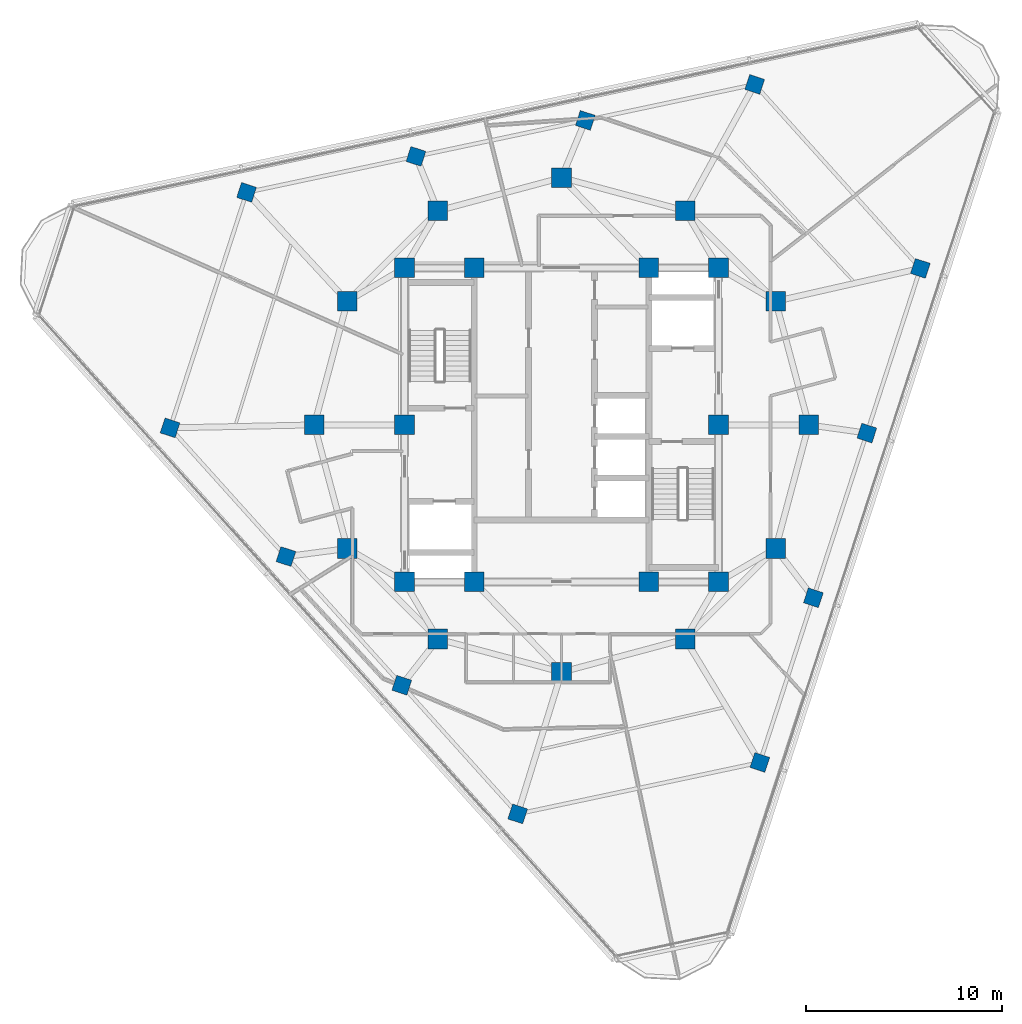
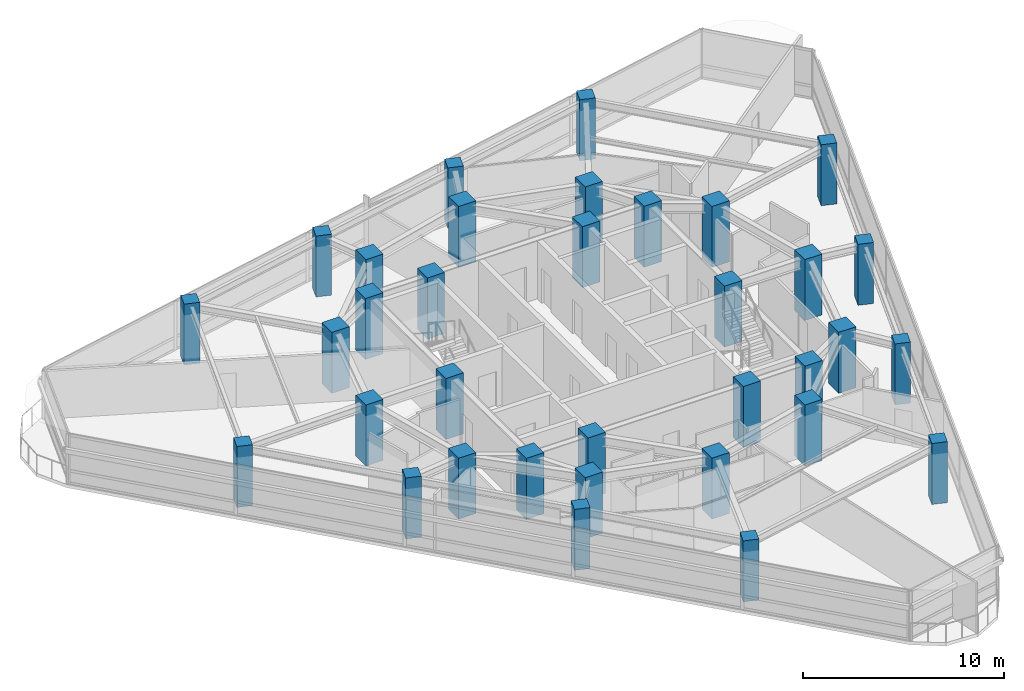
# One storey, part 1 of 15: 34 columns.
"""IFC4 building model written with IfcOpenShell, lengths in metres."""

from ifc_helpers import new_model, si_unit, direction, frame, origin, origin_2d, place, context, subcontext, project, spatial, rectangle, extrude, material, material_profile, profile_set, type_object, element, save


model = new_model("IFC4")

# Units and contexts
model_context = context("Model", 3, precision=1e-05, world=origin(), true_north=direction((0.0, 1.0)))
body_context = subcontext(model_context, "Body", "Model", "MODEL_VIEW")
ifc_project = project(units=[si_unit("LENGTHUNIT", "METRE"), si_unit("AREAUNIT", "SQUARE_METRE"), si_unit("VOLUMEUNIT", "CUBIC_METRE"), si_unit("PLANEANGLEUNIT", "RADIAN"), si_unit("MASSUNIT", "GRAM", prefix="KILO")], contexts=[model_context])

# Site, building, storey
site_placement = place(None, origin())
site = spatial("IfcSite", under=ifc_project, at=site_placement, CompositionType="ELEMENT")
building_placement = place(site_placement, origin())
building = spatial("IfcBuilding", under=site, at=building_placement, Name="Terralouvre Media Tower", CompositionType="ELEMENT")
storey_placement = place(building_placement, frame((0.0, 0.0, 286.89990234375)))
storey = spatial("IfcBuildingStorey", under=building, at=storey_placement, Name="L74", CompositionType="ELEMENT", Elevation=286.89990234375)

# Columns
ifc_material_1 = material(Name="Concrete C50/60", Category="concrete")
ifc_material_profile_1 = material_profile(ifc_material_1, rectangle(XDim=1.0, YDim=1.0, at=origin_2d()), Name="RC 1000x1000")
ifc_profile_set_1 = profile_set([ifc_material_profile_1], Name="Concrete C50/60")
column_type_1 = type_object("IfcColumnType", Name="Structural Column C-RC1000 (RC 1000x1000)", PredefinedType="COLUMN", material=ifc_profile_set_1)
for number, where, z_axis, x_axis, name in (
    (1, (-8.0, -8.0, 0.0), (0.0, 0.0, 1.0), (1.0, 0.0, 0.0), "L74 Core Pilaster Column CP1"),
    (2, (-4.449951171875, -8.0, 0.0), (0.0, 0.0, 1.0), (1.0, 0.0, 0.0), "L74 Core Pilaster Column CP2"),
    (3, (4.449951171875, -8.0, 0.0), (0.0, 0.0, 1.0), (1.0, 0.0, 0.0), "L74 Core Pilaster Column CP10"),
    (4, (8.0, -8.0, 0.0), (0.0, 0.0, 1.0), (1.0, 0.0, 0.0), "L74 Core Pilaster Column CP3"),
    (5, (8.0, 0.0, 0.0), (0.0, 0.0, 1.0), (1.0, 0.0, 0.0), "L74 Core Pilaster Column CP4"),
    (6, (8.0, 8.0, 0.0), (0.0, 0.0, 1.0), (1.0, 0.0, 0.0), "L74 Core Pilaster Column CP5"),
    (7, (4.449951171875, 8.0, 0.0), (0.0, 0.0, 1.0), (1.0, 0.0, 0.0), "L74 Core Pilaster Column CP9"),
    (8, (-4.449951171875, 8.0, 0.0), (0.0, 0.0, 1.0), (1.0, 0.0, 0.0), "L74 Core Pilaster Column CP6"),
    (9, (-8.0, 8.0, 0.0), (0.0, 0.0, 1.0), (1.0, 0.0, 0.0), "L74 Core Pilaster Column CP7"),
    (10, (-8.0, 0.0, 0.0), (0.0, 0.0, 1.0), (1.0, 0.0, 0.0), "L74 Core Pilaster Column CP8"),
    (11, (12.60009765625, 0.0, 0.0), (0.0, 0.0, 1.0), (1.0, 0.0, 0.0), "L74 Mega-Frame Column MC01"),
    (12, (10.911865234375, 6.300048828125, 0.0), (0.0, 0.0, 1.0), (1.0, 0.0, 0.0), "L74 Mega-Frame Column MC02"),
    (13, (6.300048828125, 10.911865234375, 0.0), (0.0, 0.0, 1.0), (1.0, 0.0, 0.0), "L74 Mega-Frame Column MC03"),
    (14, (0.0, 12.60009765625, 0.0), (0.0, 0.0, 1.0), (1.0, 0.0, 0.0), "L74 Mega-Frame Column MC04"),
    (15, (-6.300048828125, 10.911865234375, 0.0), (0.0, 0.0, 1.0), (1.0, 0.0, 0.0), "L74 Mega-Frame Column MC05"),
    (16, (-10.911865234375, 6.300048828125, 0.0), (0.0, 0.0, 1.0), (1.0, 0.0, 0.0), "L74 Mega-Frame Column MC06"),
    (17, (-12.60009765625, 0.0, 0.0), (0.0, 0.0, 1.0), (1.0, 0.0, 0.0), "L74 Mega-Frame Column MC07"),
    (18, (-10.911865234375, -6.300048828125, 0.0), (0.0, 0.0, 1.0), (1.0, 0.0, 0.0), "L74 Mega-Frame Column MC08"),
    (19, (-6.300048828125, -10.911865234375, 0.0), (0.0, 0.0, 1.0), (1.0, 0.0, 0.0), "L74 Mega-Frame Column MC09"),
    (20, (0.0, -12.60009765625, 0.0), (0.0, 0.0, 1.0), (1.0, 0.0, 0.0), "L74 Mega-Frame Column MC10"),
    (21, (6.300048828125, -10.911865234375, 0.0), (0.0, 0.0, 1.0), (1.0, 0.0, 0.0), "L74 Mega-Frame Column MC11"),
    (22, (10.911865234375, -6.300048828125, 0.0), (0.0, 0.0, 1.0), (1.0, 0.0, 0.0), "L74 Mega-Frame Column MC12"),
):
    element("IfcColumn", number, at=place(storey_placement, frame(where, z_axis=z_axis, x_axis=x_axis)), inside=storey, type_object=column_type_1, Name=name, PredefinedType="COLUMN", context=body_context, shape_type="SweptSolid", body=[
        extrude(rectangle(XDim=1.0, YDim=1.0, at=origin_2d()), origin(), (0.0, 0.0, 1.0), 3.7001953125),
    ])
ifc_material_2 = material(Name="Concrete C50/60", Category="concrete")
ifc_material_profile_2 = material_profile(ifc_material_2, rectangle(XDim=0.800048828125, YDim=0.800048828125, at=origin_2d()), Name="RC 800x800")
ifc_profile_set_2 = profile_set([ifc_material_profile_2], Name="Concrete C50/60")
column_type_2 = type_object("IfcColumnType", Name="Structural Column C-RC800 (RC 800x800)", PredefinedType="COLUMN", material=ifc_profile_set_2)
for number, where, z_axis, x_axis, name in (
    (23, (10.105712890625, -17.20068359375, 0.0), (0.0, 0.0, 1.0), (0.309016994375, 0.951056516295, 0.0), "L74 Perimeter Mega-Column PC11"),
    (24, (12.83251953125, -8.80859375, 0.0), (0.0, 0.0, 1.0), (0.309016994375, 0.951056516295, 0.0), "L74 Perimeter Mega-Column PC12"),
    (25, (15.55908203125, -0.41650390625, 0.0), (0.0, 0.0, 1.0), (0.309016994375, 0.951056516295, 0.0), "L74 Perimeter Mega-Column PC13"),
    (26, (18.285888671875, 7.9755859375, 0.0), (0.0, 0.0, 1.0), (0.309016994375, 0.951056516295, 0.0), "L74 Perimeter Mega-Column PC14"),
    (27, (9.843505859375, 17.35205078125, 0.0), (0.0, 0.0, 1.0), (0.309016994375, 0.951056516295, 0.0), "L74 Perimeter Mega-Column PC21"),
    (28, (1.212158203125, 15.517578125, 0.0), (0.0, 0.0, 1.0), (0.309016994375, 0.951056516295, 0.0), "L74 Perimeter Mega-Column PC22"),
    (29, (-7.4189453125, 13.682861328125, 0.0), (0.0, 0.0, 1.0), (0.309016994375, 0.951056516295, 0.0), "L74 Perimeter Mega-Column PC23"),
    (30, (-16.050048828125, 11.84814453125, 0.0), (0.0, 0.0, 1.0), (0.309016994375, 0.951056516295, 0.0), "L74 Perimeter Mega-Column PC24"),
    (31, (-19.948974609375, -0.1513671875, 0.0), (0.0, 0.0, 1.0), (0.309016994375, 0.951056516295, 0.0), "L74 Perimeter Mega-Column PC31"),
    (32, (-14.044677734375, -6.708984375, 0.0), (0.0, 0.0, 1.0), (0.309016994375, 0.951056516295, 0.0), "L74 Perimeter Mega-Column PC32"),
    (33, (-8.14013671875, -13.266357421875, 0.0), (0.0, 0.0, 1.0), (0.309016994375, 0.951056516295, 0.0), "L74 Perimeter Mega-Column PC33"),
    (34, (-2.23583984375, -19.823974609375, 0.0), (0.0, 0.0, 1.0), (0.309016994375, 0.951056516295, 0.0), "L74 Perimeter Mega-Column PC34"),
):
    element("IfcColumn", number, at=place(storey_placement, frame(where, z_axis=z_axis, x_axis=x_axis)), inside=storey, type_object=column_type_2, Name=name, PredefinedType="COLUMN", context=body_context, shape_type="SweptSolid", body=[
        extrude(rectangle(XDim=0.800048828125, YDim=0.800048828125, at=origin_2d()), origin(), (0.0, 0.0, 1.0), 3.7001953125),
    ])

save(model, "model.ifc")
